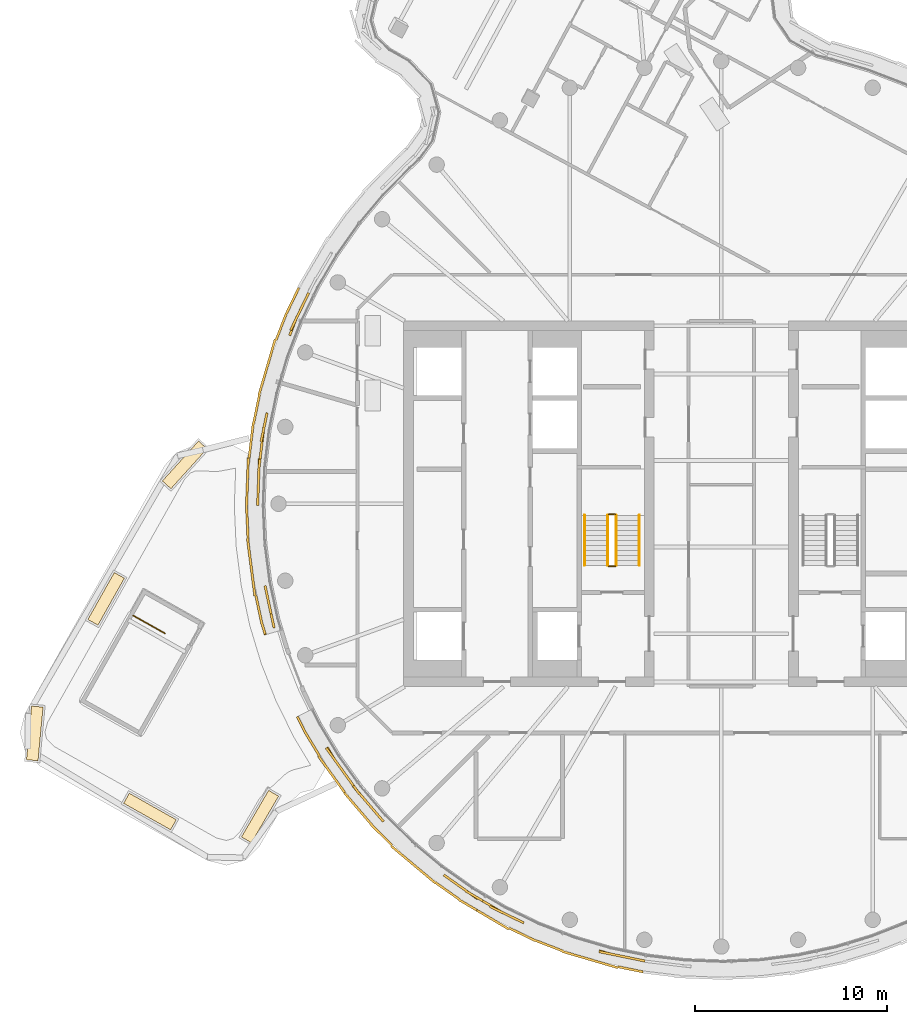
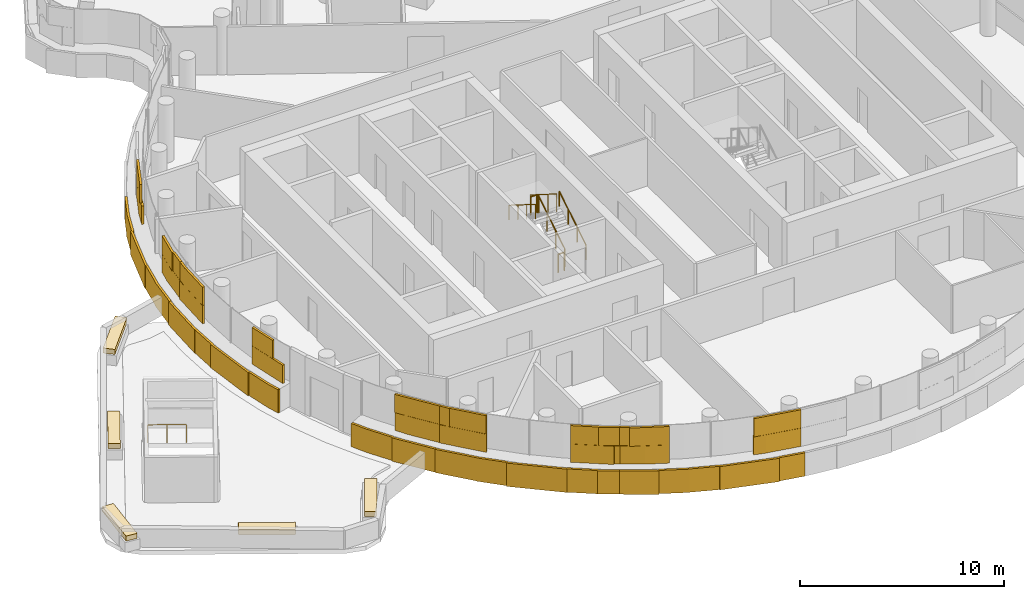
# One storey, part 18 of 22: 10 coverings, 7 railings.
"""IFC4 building model written with IfcOpenShell, lengths in metres."""

from ifc_helpers import new_model, si_unit, direction, frame, origin, origin_2d, place, context, subcontext, project, spatial, rectangle, circle, extrude, material, layer, layer_set, type_object, element, save


model = new_model("IFC4")

# Units and contexts
model_context = context("Model", 3, precision=1e-05, world=origin(), true_north=direction((0.0, 1.0)))
body_context = subcontext(model_context, "Body", "Model", "MODEL_VIEW")
ifc_project = project(units=[si_unit("LENGTHUNIT", "METRE"), si_unit("AREAUNIT", "SQUARE_METRE"), si_unit("VOLUMEUNIT", "CUBIC_METRE"), si_unit("PLANEANGLEUNIT", "RADIAN"), si_unit("MASSUNIT", "GRAM", prefix="KILO")], contexts=[model_context])

# Site, building, storey
site_placement = place(None, origin())
site = spatial("IfcSite", under=ifc_project, at=site_placement, CompositionType="ELEMENT")
building_placement = place(site_placement, origin())
building = spatial("IfcBuilding", under=site, at=building_placement, Name="Tamarind Cross Interchange Tower", CompositionType="ELEMENT")
storey_placement = place(building_placement, frame((0.0, 0.0, 256.800048828125)))
storey = spatial("IfcBuildingStorey", under=building, at=storey_placement, Name="L65", CompositionType="ELEMENT", Elevation=256.800048828125)

# Coverings
ifc_material_1 = material(Name="Planting soil and turf")
covering_type_1 = type_object("IfcCoveringType", Name="Planting bed", PredefinedType="USERDEFINED", material=ifc_material_1)
for number, where, z_axis, x_axis, name in (
    (1, (-27.87255859375, 2.023193359375, 0.60009765625), (0.0, 0.0, 1.0), (-0.670843130547, -0.741599281417, 0.0), "PLB-L65-RTW0-00"),
    (2, (-31.956298828125, -4.9375, 0.60009765625), (0.0, 0.0, 1.0), (-0.490928082303, -0.871200102162, 0.0), "PLB-L65-RTW0-01"),
    (3, (-35.661376953125, -11.928466796875, 0.60009765625), (0.0, 0.0, 1.0), (-0.094136114617, -0.995559336215, 0.0), "PLB-L65-RTW0-02"),
    (4, (-29.68017578125, -15.9853515625, 0.60009765625), (0.0, 0.0, 1.0), (0.871200102162, -0.490928082303, 0.0), "PLB-L65-RTW0-03"),
    (5, (-23.959716796875, -16.24755859375, 0.60009765625), (0.0, 0.0, 1.0), (0.503460843002, 0.86401804354, 0.0), "PLB-L65-RTW0-04"),
):
    element("IfcCovering", number, at=place(storey_placement, frame(where, z_axis=z_axis, x_axis=x_axis)), inside=storey, type_object=covering_type_1, Name=name, ObjectType="Planting bed", PredefinedType="USERDEFINED", context=body_context, shape_type="SweptSolid", body=[
        extrude(rectangle(XDim=2.800048828125, YDim=0.60009765625, at=origin_2d()), origin(), (0.0, 0.0, 1.0), 0.300048828125),
    ])

# Railings
ifc_material_2 = material(Name="Stair guard")
railing_type_1 = type_object("IfcRailingType", Name="Stair guard", PredefinedType="GUARDRAIL", material=ifc_material_2)
railing_1_placement = place(storey_placement, frame((-5.449951171875, -3.199951171875, 0.16357421875)))
element("IfcRailing", 6, at=railing_1_placement, inside=storey, type_object=railing_type_1, Name="L65 ST1 stair guard 1", PredefinedType="GUARDRAIL", context=body_context, shape_type="SweptSolid", body=[
    extrude(circle(Radius=0.02392578125, at=origin_2d()), frame((0.0, 0.0, 1.076171875), z_axis=(0.0, 0.846301844409, 0.532703658848), x_axis=(-1.0, 0.0, 0.0)), (0.0, 0.0, 1.0), 3.072021484375),
    extrude(circle(Radius=0.02099609375, at=origin_2d()), origin(), (0.0, 0.0, 1.0), 1.052001953125),
    extrude(circle(Radius=0.02099609375, at=origin_2d()), frame((0.0, 0.86669921875, 0.54541015625)), (0.0, 0.0, 1.0), 1.052001953125),
    extrude(circle(Radius=0.02099609375, at=origin_2d()), frame((0.0, 1.733154296875, 1.091064453125)), (0.0, 0.0, 1.0), 1.052001953125),
    extrude(circle(Radius=0.02099609375, at=origin_2d()), frame((0.0, 2.599853515625, 1.636474609375)), (0.0, 0.0, 1.0), 1.052001953125),
])
railing_2_placement = place(storey_placement, frame((-5.5, -0.550048828125, 1.800048828125)))
element("IfcRailing", 7, at=railing_2_placement, inside=storey, type_object=railing_type_1, Name="L65 ST1 stair guard 2", PredefinedType="GUARDRAIL", context=body_context, shape_type="SweptSolid", body=[
    extrude(circle(Radius=0.02392578125, at=origin_2d()), frame((0.0, 0.0, 1.076171875), z_axis=(-1.0, 0.0, 0.0), x_axis=(0.0, -1.0, 0.0)), (0.0, 0.0, 1.0), 0.35009765625),
    extrude(circle(Radius=0.02099609375, at=origin_2d()), origin(), (0.0, 0.0, 1.0), 1.052001953125),
    extrude(circle(Radius=0.02099609375, at=origin_2d()), frame((-0.35009765625, 0.0, 0.0)), (0.0, 0.0, 1.0), 1.052001953125),
])
railing_3_placement = place(storey_placement, frame((-5.89990234375, -0.60009765625, 1.963623046875)))
element("IfcRailing", 8, at=railing_3_placement, inside=storey, type_object=railing_type_1, Name="L65 ST1 stair guard 3", PredefinedType="GUARDRAIL", context=body_context, shape_type="SweptSolid", body=[
    extrude(circle(Radius=0.02392578125, at=origin_2d()), frame((0.0, 0.0, 1.076171875), z_axis=(0.0, -0.846337672412, 0.532646734952), x_axis=(1.0, 0.0, 0.0)), (0.0, 0.0, 1.0), 3.07177734375),
    extrude(circle(Radius=0.02099609375, at=origin_2d()), origin(), (0.0, 0.0, 1.0), 1.052001953125),
    extrude(circle(Radius=0.02099609375, at=origin_2d()), frame((0.0, -0.86669921875, 0.54541015625)), (0.0, 0.0, 1.0), 1.052001953125),
    extrude(circle(Radius=0.02099609375, at=origin_2d()), frame((0.0, -1.733154296875, 1.0908203125)), (0.0, 0.0, 1.0), 1.052001953125),
    extrude(circle(Radius=0.02099609375, at=origin_2d()), frame((0.0, -2.599853515625, 1.63623046875)), (0.0, 0.0, 1.0), 1.052001953125),
])
railing_4_placement = place(storey_placement, frame((-5.5, -3.25, 0.0)))
element("IfcRailing", 9, at=railing_4_placement, inside=storey, type_object=railing_type_1, Name="L65 ST1 stair guard 4", PredefinedType="GUARDRAIL", context=body_context, shape_type="SweptSolid", body=[
    extrude(circle(Radius=0.02392578125, at=origin_2d()), frame((0.0, 0.0, 1.076171875), z_axis=(-1.0, 0.0, 0.0), x_axis=(0.0, -1.0, 0.0)), (0.0, 0.0, 1.0), 0.35009765625),
    extrude(circle(Radius=0.02099609375, at=origin_2d()), origin(), (0.0, 0.0, 1.0), 1.052001953125),
    extrude(circle(Radius=0.02099609375, at=origin_2d()), frame((-0.35009765625, 0.0, 0.0)), (0.0, 0.0, 1.0), 1.052001953125),
])
railing_5_placement = place(storey_placement, frame((-30.548583984375, -5.80029296875, 0.0)))
element("IfcRailing", 10, at=railing_5_placement, inside=storey, type_object=railing_type_1, Name="L65 ST5 top well guard 1", PredefinedType="GUARDRAIL", context=body_context, shape_type="SweptSolid", body=[
    extrude(circle(Radius=0.02392578125, at=origin_2d()), frame((0.0, 0.0, 1.076171875), z_axis=(0.871177190882, -0.490968738401, 0.0), x_axis=(0.490968738401, 0.871177190882, 0.0)), (0.0, 0.0, 1.0), 1.900146484375),
    extrude(circle(Radius=0.02099609375, at=origin_2d()), origin(), (0.0, 0.0, 1.0), 1.052001953125),
    extrude(circle(Radius=0.02099609375, at=origin_2d()), frame((0.82763671875, -0.46630859375, 0.0)), (0.0, 0.0, 1.0), 1.052001953125),
    extrude(circle(Radius=0.02099609375, at=origin_2d()), frame((1.6552734375, -0.932861328125, 0.0)), (0.0, 0.0, 1.0), 1.052001953125),
])
ifc_material_3 = material(Name="Stair handrail")
railing_type_2 = type_object("IfcRailingType", Name="Stair handrail", PredefinedType="HANDRAIL", material=ifc_material_3)
railing_6_placement = place(storey_placement, frame((-4.25, -3.199951171875, 0.16357421875)))
element("IfcRailing", 11, at=railing_6_placement, inside=storey, type_object=railing_type_2, Name="L65 ST1 stair handrail 1", PredefinedType="HANDRAIL", context=body_context, shape_type="SweptSolid", body=[
    extrude(circle(Radius=0.02392578125, at=origin_2d()), frame((0.0, 0.0, 0.8759765625), z_axis=(0.0, 0.846301844409, 0.532703658848), x_axis=(-1.0, 0.0, 0.0)), (0.0, 0.0, 1.0), 3.072021484375),
    extrude(circle(Radius=0.02099609375, at=origin_2d()), origin(), (0.0, 0.0, 1.0), 0.851806640625),
    extrude(circle(Radius=0.02099609375, at=origin_2d()), frame((0.0, 0.86669921875, 0.54541015625)), (0.0, 0.0, 1.0), 0.851806640625),
    extrude(circle(Radius=0.02099609375, at=origin_2d()), frame((0.0, 1.733154296875, 1.091064453125)), (0.0, 0.0, 1.0), 0.851806640625),
    extrude(circle(Radius=0.02099609375, at=origin_2d()), frame((0.0, 2.599853515625, 1.636474609375)), (0.0, 0.0, 1.0), 0.851806640625),
])
railing_7_placement = place(storey_placement, frame((-7.10009765625, -0.60009765625, 1.963623046875)))
element("IfcRailing", 12, at=railing_7_placement, inside=storey, type_object=railing_type_2, Name="L65 ST1 stair handrail 2", PredefinedType="HANDRAIL", context=body_context, shape_type="SweptSolid", body=[
    extrude(circle(Radius=0.02392578125, at=origin_2d()), frame((0.0, 0.0, 0.8759765625), z_axis=(0.0, -0.846337672412, 0.532646734952), x_axis=(1.0, 0.0, 0.0)), (0.0, 0.0, 1.0), 3.07177734375),
    extrude(circle(Radius=0.02099609375, at=origin_2d()), origin(), (0.0, 0.0, 1.0), 0.851806640625),
    extrude(circle(Radius=0.02099609375, at=origin_2d()), frame((0.0, -0.86669921875, 0.54541015625)), (0.0, 0.0, 1.0), 0.851806640625),
    extrude(circle(Radius=0.02099609375, at=origin_2d()), frame((0.0, -1.733154296875, 1.0908203125)), (0.0, 0.0, 1.0), 0.851806640625),
    extrude(circle(Radius=0.02099609375, at=origin_2d()), frame((0.0, -2.599853515625, 1.63623046875)), (0.0, 0.0, 1.0), 0.851806640625),
])

# Coverings
ifc_material_4 = material(Name="Terracotta", Category="masonry")
ifc_layer = layer(ifc_material_4, 0.1201171875)
ifc_layer_set = layer_set([ifc_layer], Name="Terracotta")
covering_type_2 = type_object("IfcCoveringType", Name="Terracotta baguette screen unit", PredefinedType="MOLDING", material=ifc_layer_set)
covering_1_placement = place(storey_placement, origin())
element("IfcCovering", 13, at=covering_1_placement, inside=storey, type_object=covering_type_2, Name="SCR-L65-01-02", PredefinedType="MOLDING", context=body_context, shape_type="SweptSolid", body=[
    extrude(rectangle(XDim=1.40673828125, YDim=0.1201171875, at=origin_2d()), frame((-21.736572265625, 10.3291015625, 1.40380859375), z_axis=(0.0, 0.0, 1.0), x_axis=(-0.435326231914, -0.900272776334, 0.0)), (0.0, 0.0, 1.0), 1.092041015625),
    extrude(rectangle(XDim=1.03515625, YDim=0.1201171875, at=origin_2d()), frame((-22.235107421875, 9.2265625, 1.40380859375), z_axis=(0.0, 0.0, 1.0), x_axis=(-0.359495435512, -0.933146843667, 0.0)), (0.0, 0.0, 1.0), 1.092041015625),
    extrude(rectangle(XDim=0.784912109375, YDim=0.1201171875, at=origin_2d()), frame((-23.67529296875, 4.34521484375, 1.40380859375), z_axis=(0.0, 0.0, 1.0), x_axis=(-0.201001463943, -0.9795909409, 0.0)), (0.0, 0.0, 1.0), 1.092041015625),
    extrude(rectangle(XDim=1.52001953125, YDim=0.1201171875, at=origin_2d()), frame((-23.851318359375, 3.222412109375, 1.40380859375), z_axis=(0.0, 0.0, 1.0), x_axis=(-0.119420963295, -0.992843710523, 0.0)), (0.0, 0.0, 1.0), 1.092041015625),
    extrude(rectangle(XDim=0.15673828125, YDim=0.1201171875, at=origin_2d()), frame((-23.94970703125, 2.405029296875, 1.40380859375), z_axis=(0.0, 0.0, 1.0), x_axis=(-0.119420963295, -0.992843710523, 0.0)), (0.0, 0.0, 1.0), 1.092041015625),
    extrude(rectangle(XDim=0.65673828125, YDim=0.1201171875, at=origin_2d()), frame((-21.573486328125, 10.666748046875, 2.50390625), z_axis=(0.0, 0.0, 1.0), x_axis=(-0.435326231914, -0.900272776334, 0.0)), (0.0, 0.0, 1.0), 1.092041015625),
    extrude(rectangle(XDim=1.52001953125, YDim=0.1201171875, at=origin_2d()), frame((-22.04052734375, 9.700439453125, 2.50390625), z_axis=(0.0, 0.0, 1.0), x_axis=(-0.435326231914, -0.900272776334, 0.0)), (0.0, 0.0, 1.0), 1.092041015625),
    extrude(rectangle(XDim=1.52001953125, YDim=0.1201171875, at=origin_2d()), frame((-23.753173828125, 3.9658203125, 2.50390625), z_axis=(0.0, 0.0, 1.0), x_axis=(-0.201001463943, -0.9795909409, 0.0)), (0.0, 0.0, 1.0), 1.092041015625),
    extrude(rectangle(XDim=0.90673828125, YDim=0.1201171875, at=origin_2d()), frame((-23.90478515625, 2.77734375, 2.50390625), z_axis=(0.0, 0.0, 1.0), x_axis=(-0.119420963295, -0.992843710523, 0.0)), (0.0, 0.0, 1.0), 1.092041015625),
    extrude(rectangle(XDim=1.469970703125, YDim=0.1201171875, at=origin_2d()), frame((-22.263671875, 10.5576171875, 0.00390625), z_axis=(0.0, 0.0, 1.0), x_axis=(-0.435326231914, -0.900272776334, 0.0)), (0.0, 0.0, 1.0), 1.39208984375),
    extrude(rectangle(XDim=1.52001953125, YDim=0.1201171875, at=origin_2d()), frame((-22.857177734375, 9.20849609375, 0.00390625), z_axis=(0.0, 0.0, 1.0), x_axis=(-0.359495435512, -0.933146843667, 0.0)), (0.0, 0.0, 1.0), 1.39208984375),
    extrude(rectangle(XDim=1.52001953125, YDim=0.1201171875, at=origin_2d()), frame((-23.38818359375, 7.80615234375, 0.00390625), z_axis=(0.0, 0.0, 1.0), x_axis=(-0.281208920763, -0.95964657186, 0.0)), (0.0, 0.0, 1.0), 1.39208984375),
    extrude(rectangle(XDim=1.52001953125, YDim=0.1201171875, at=origin_2d()), frame((-23.809814453125, 6.366455078125, 0.00390625), z_axis=(0.0, 0.0, 1.0), x_axis=(-0.281208920763, -0.95964657186, 0.0)), (0.0, 0.0, 1.0), 1.39208984375),
    extrude(rectangle(XDim=1.52001953125, YDim=0.1201171875, at=origin_2d()), frame((-24.146240234375, 4.90576171875, 0.00390625), z_axis=(0.0, 0.0, 1.0), x_axis=(-0.201001463943, -0.9795909409, 0.0)), (0.0, 0.0, 1.0), 1.39208984375),
    extrude(rectangle(XDim=1.52001953125, YDim=0.1201171875, at=origin_2d()), frame((-24.404541015625, 3.429443359375, 0.00390625), z_axis=(0.0, 0.0, 1.0), x_axis=(-0.119420963295, -0.992843710523, 0.0)), (0.0, 0.0, 1.0), 1.39208984375),
    extrude(rectangle(XDim=0.30908203125, YDim=0.1201171875, at=origin_2d()), frame((-24.511474609375, 2.541259765625, 0.00390625), z_axis=(0.0, 0.0, 1.0), x_axis=(-0.119420963295, -0.992843710523, 0.0)), (0.0, 0.0, 1.0), 1.39208984375),
])
covering_2_placement = place(storey_placement, origin())
element("IfcCovering", 14, at=covering_2_placement, inside=storey, type_object=covering_type_2, Name="SCR-L65-01-03", PredefinedType="MOLDING", context=body_context, shape_type="SweptSolid", body=[
    extrude(rectangle(XDim=1.36328125, YDim=0.1201171875, at=origin_2d()), frame((-24.0205078125, 1.658935546875, 1.40380859375), z_axis=(0.0, 0.0, 1.0), x_axis=(-0.037024696392, -0.999314350871, 0.0)), (0.0, 0.0, 1.0), 1.092041015625),
    extrude(rectangle(XDim=1.078125, YDim=0.1201171875, at=origin_2d()), frame((-24.0654296875, 0.44921875, 1.40380859375), z_axis=(0.0, 0.0, 1.0), x_axis=(-0.037024696392, -0.999314350871, 0.0)), (0.0, 0.0, 1.0), 1.092041015625),
    extrude(rectangle(XDim=0.741943359375, YDim=0.1201171875, at=origin_2d()), frame((-23.621826171875, -4.61962890625, 1.40380859375), z_axis=(0.0, 0.0, 1.0), x_axis=(0.209425419705, -0.977824623121, 0.0)), (0.0, 0.0, 1.0), 1.092041015625),
    extrude(rectangle(XDim=1.52001953125, YDim=0.1201171875, at=origin_2d()), frame((-23.38818359375, -5.710693359375, 1.40380859375), z_axis=(0.0, 0.0, 1.0), x_axis=(0.209425419705, -0.977824623121, 0.0)), (0.0, 0.0, 1.0), 1.092041015625),
    extrude(rectangle(XDim=0.61328125, YDim=0.1201171875, at=origin_2d()), frame((-23.994384765625, 2.03271484375, 2.50390625), z_axis=(0.0, 0.0, 1.0), x_axis=(-0.119420963295, -0.992843710523, 0.0)), (0.0, 0.0, 1.0), 1.092041015625),
    extrude(rectangle(XDim=1.52001953125, YDim=0.1201171875, at=origin_2d()), frame((-24.045654296875, 0.982666015625, 2.50390625), z_axis=(0.0, 0.0, 1.0), x_axis=(-0.037024696392, -0.999314350871, 0.0)), (0.0, 0.0, 1.0), 1.092041015625),
    extrude(rectangle(XDim=0.328125, YDim=0.1201171875, at=origin_2d()), frame((-24.0791015625, 0.074462890625, 2.50390625), z_axis=(0.0, 0.0, 1.0), x_axis=(-0.037024696392, -0.999314350871, 0.0)), (0.0, 0.0, 1.0), 1.092041015625),
    extrude(rectangle(XDim=1.491943359375, YDim=0.1201171875, at=origin_2d()), frame((-23.543212890625, -4.986328125, 2.50390625), z_axis=(0.0, 0.0, 1.0), x_axis=(0.209425419705, -0.977824623121, 0.0)), (0.0, 0.0, 1.0), 1.092041015625),
    extrude(rectangle(XDim=1.2109375, YDim=0.1201171875, at=origin_2d()), frame((-24.590087890625, 1.785888671875, 0.00390625), z_axis=(0.0, 0.0, 1.0), x_axis=(-0.037024696392, -0.999314350871, 0.0)), (0.0, 0.0, 1.0), 1.39208984375),
    extrude(rectangle(XDim=1.52001953125, YDim=0.1201171875, at=origin_2d()), frame((-24.639892578125, 0.441162109375, 0.00390625), z_axis=(0.0, 0.0, 1.0), x_axis=(-0.037024696392, -0.999314350871, 0.0)), (0.0, 0.0, 1.0), 1.39208984375),
    extrude(rectangle(XDim=1.52001953125, YDim=0.1201171875, at=origin_2d()), frame((-24.616943359375, -1.057373046875, 0.00390625), z_axis=(0.0, 0.0, 1.0), x_axis=(0.045624486728, -0.998958660912, 0.0)), (0.0, 0.0, 1.0), 1.39208984375),
    extrude(rectangle(XDim=1.52001953125, YDim=0.1201171875, at=origin_2d()), frame((-24.514404296875, -2.552734375, 0.00390625), z_axis=(0.0, 0.0, 1.0), x_axis=(0.127962008342, -0.991779070368, 0.0)), (0.0, 0.0, 1.0), 1.39208984375),
    extrude(rectangle(XDim=1.52001953125, YDim=0.1201171875, at=origin_2d()), frame((-24.322265625, -4.04052734375, 0.00390625), z_axis=(0.0, 0.0, 1.0), x_axis=(0.127962008342, -0.991779070368, 0.0)), (0.0, 0.0, 1.0), 1.39208984375),
    extrude(rectangle(XDim=1.52001953125, YDim=0.1201171875, at=origin_2d()), frame((-24.018310546875, -5.509033203125, 0.00390625), z_axis=(0.0, 0.0, 1.0), x_axis=(0.209425419705, -0.977824623121, 0.0)), (0.0, 0.0, 1.0), 1.39208984375),
    extrude(rectangle(XDim=0.5673828125, YDim=0.1201171875, at=origin_2d()), frame((-23.775146484375, -6.50244140625, 0.00390625), z_axis=(0.0, 0.0, 1.0), x_axis=(0.289458243079, -0.957190642199, 0.0)), (0.0, 0.0, 1.0), 1.39208984375),
])
covering_3_placement = place(storey_placement, origin())
element("IfcCovering", 15, at=covering_3_placement, inside=storey, type_object=covering_type_2, Name="SCR-L65-01-04", PredefinedType="MOLDING", context=body_context, shape_type="SweptSolid", body=[
    extrude(rectangle(XDim=0.698974609375, YDim=0.1201171875, at=origin_2d()), frame((-20.296142578125, -12.9462890625, 1.40380859375), z_axis=(0.0, 0.0, 1.0), x_axis=(0.515577308909, -0.856843065292, 0.0)), (0.0, 0.0, 1.0), 1.092041015625),
    extrude(rectangle(XDim=1.52001953125, YDim=0.1201171875, at=origin_2d()), frame((-19.681640625, -13.85107421875, 1.40380859375), z_axis=(0.0, 0.0, 1.0), x_axis=(0.584573890505, -0.811340475102, 0.0)), (0.0, 0.0, 1.0), 1.092041015625),
    extrude(rectangle(XDim=0.24267578125, YDim=0.1201171875, at=origin_2d()), frame((-19.17529296875, -14.553955078125, 1.40380859375), z_axis=(0.0, 0.0, 1.0), x_axis=(0.584573890505, -0.811340475102, 0.0)), (0.0, 0.0, 1.0), 1.092041015625),
    extrude(rectangle(XDim=1.448974609375, YDim=0.1201171875, at=origin_2d()), frame((-20.102294921875, -13.267333984375, 2.50390625), z_axis=(0.0, 0.0, 1.0), x_axis=(0.584573890505, -0.811340475102, 0.0)), (0.0, 0.0, 1.0), 1.092041015625),
    extrude(rectangle(XDim=0.99267578125, YDim=0.1201171875, at=origin_2d()), frame((-19.39453125, -14.249755859375, 2.50390625), z_axis=(0.0, 0.0, 1.0), x_axis=(0.584573890505, -0.811340475102, 0.0)), (0.0, 0.0, 1.0), 1.092041015625),
    extrude(rectangle(XDim=0.03076171875, YDim=0.1201171875, at=origin_2d()), frame((-23.6884765625, -6.788818359375, 0.00390625), z_axis=(0.0, 0.0, 1.0), x_axis=(0.289458243079, -0.957190642199, 0.0)), (0.0, 0.0, 1.0), 1.39208984375),
    extrude(rectangle(XDim=0.853759765625, YDim=0.1201171875, at=origin_2d()), frame((-21.834228515625, -11.432373046875, 0.00390625), z_axis=(0.0, 0.0, 1.0), x_axis=(0.443058811505, -0.896492548518, 0.0)), (0.0, 0.0, 1.0), 1.39208984375),
    extrude(rectangle(XDim=1.52001953125, YDim=0.1201171875, at=origin_2d()), frame((-21.2646484375, -12.449951171875, 0.00390625), z_axis=(0.0, 0.0, 1.0), x_axis=(0.515577308909, -0.856843065292, 0.0)), (0.0, 0.0, 1.0), 1.39208984375),
    extrude(rectangle(XDim=1.52001953125, YDim=0.1201171875, at=origin_2d()), frame((-20.478515625, -13.726806640625, 0.00390625), z_axis=(0.0, 0.0, 1.0), x_axis=(0.584573890505, -0.811340475102, 0.0)), (0.0, 0.0, 1.0), 1.39208984375),
    extrude(rectangle(XDim=0.826416015625, YDim=0.1201171875, at=origin_2d()), frame((-19.804443359375, -14.662353515625, 0.00390625), z_axis=(0.0, 0.0, 1.0), x_axis=(0.584573890505, -0.811340475102, 0.0)), (0.0, 0.0, 1.0), 1.39208984375),
])
covering_4_placement = place(storey_placement, origin())
element("IfcCovering", 16, at=covering_4_placement, inside=storey, type_object=covering_type_2, Name="SCR-L65-01-05", PredefinedType="MOLDING", context=body_context, shape_type="SweptSolid", body=[
    extrude(rectangle(XDim=1.27734375, YDim=0.1201171875, at=origin_2d()), frame((-18.7138671875, -15.144287109375, 1.40380859375), z_axis=(0.0, 0.0, 1.0), x_axis=(0.64957723968, -0.760295606781, 0.0)), (0.0, 0.0, 1.0), 1.092041015625),
    extrude(rectangle(XDim=1.1640625, YDim=0.1201171875, at=origin_2d()), frame((-17.92724609375, -16.06494140625, 1.40380859375), z_axis=(0.0, 0.0, 1.0), x_axis=(0.64957723968, -0.760295606781, 0.0)), (0.0, 0.0, 1.0), 1.092041015625),
    extrude(rectangle(XDim=0.656005859375, YDim=0.1201171875, at=origin_2d()), frame((-14.14697265625, -19.470458984375, 1.40380859375), z_axis=(0.0, 0.0, 1.0), x_axis=(0.816341886298, -0.577568978284, 0.0)), (0.0, 0.0, 1.0), 1.092041015625),
    extrude(rectangle(XDim=1.52001953125, YDim=0.1201171875, at=origin_2d()), frame((-13.27099609375, -20.090087890625, 1.40380859375), z_axis=(0.0, 0.0, 1.0), x_axis=(0.816341886298, -0.577568978284, 0.0)), (0.0, 0.0, 1.0), 1.092041015625),
    extrude(rectangle(XDim=0.285400390625, YDim=0.1201171875, at=origin_2d()), frame((-12.516845703125, -20.556884765625, 1.40380859375), z_axis=(0.0, 0.0, 1.0), x_axis=(0.861248933065, -0.508183308752, 0.0)), (0.0, 0.0, 1.0), 1.092041015625),
    extrude(rectangle(XDim=0.52734375, YDim=0.1201171875, at=origin_2d()), frame((-18.9560546875, -14.858154296875, 2.50390625), z_axis=(0.0, 0.0, 1.0), x_axis=(0.584573890505, -0.811340475102, 0.0)), (0.0, 0.0, 1.0), 1.092041015625),
    extrude(rectangle(XDim=1.52001953125, YDim=0.1201171875, at=origin_2d()), frame((-18.30224609375, -15.626220703125, 2.50390625), z_axis=(0.0, 0.0, 1.0), x_axis=(0.64957723968, -0.760295606781, 0.0)), (0.0, 0.0, 1.0), 1.092041015625),
    extrude(rectangle(XDim=0.4140625, YDim=0.1201171875, at=origin_2d()), frame((-17.683837890625, -16.349853515625, 2.50390625), z_axis=(0.0, 0.0, 1.0), x_axis=(0.64957723968, -0.760295606781, 0.0)), (0.0, 0.0, 1.0), 1.092041015625),
    extrude(rectangle(XDim=1.406005859375, YDim=0.1201171875, at=origin_2d()), frame((-13.8408203125, -19.68701171875, 2.50390625), z_axis=(0.0, 0.0, 1.0), x_axis=(0.816341886298, -0.577568978284, 0.0)), (0.0, 0.0, 1.0), 1.092041015625),
    extrude(rectangle(XDim=1.035400390625, YDim=0.1201171875, at=origin_2d()), frame((-12.839599609375, -20.366455078125, 2.50390625), z_axis=(0.0, 0.0, 1.0), x_axis=(0.861248933065, -0.508183308752, 0.0)), (0.0, 0.0, 1.0), 1.092041015625),
    extrude(rectangle(XDim=0.693603515625, YDim=0.1201171875, at=origin_2d()), frame((-19.356201171875, -15.27587890625, 0.00390625), z_axis=(0.0, 0.0, 1.0), x_axis=(0.64957723968, -0.760295606781, 0.0)), (0.0, 0.0, 1.0), 1.39208984375),
    extrude(rectangle(XDim=1.52001953125, YDim=0.1201171875, at=origin_2d()), frame((-18.650390625, -16.102294921875, 0.00390625), z_axis=(0.0, 0.0, 1.0), x_axis=(0.64957723968, -0.760295606781, 0.0)), (0.0, 0.0, 1.0), 1.39208984375),
    extrude(rectangle(XDim=1.52001953125, YDim=0.1201171875, at=origin_2d()), frame((-17.63916015625, -17.20849609375, 0.00390625), z_axis=(0.0, 0.0, 1.0), x_axis=(0.710143317658, -0.704057148523, 0.0)), (0.0, 0.0, 1.0), 1.39208984375),
    extrude(rectangle(XDim=1.52001953125, YDim=0.1201171875, at=origin_2d()), frame((-16.570068359375, -18.26025390625, 0.00390625), z_axis=(0.0, 0.0, 1.0), x_axis=(0.765858396687, -0.643009266048, 0.0)), (0.0, 0.0, 1.0), 1.39208984375),
    extrude(rectangle(XDim=1.52001953125, YDim=0.1201171875, at=origin_2d()), frame((-15.421142578125, -19.224853515625, 0.00390625), z_axis=(0.0, 0.0, 1.0), x_axis=(0.765858396687, -0.643009266048, 0.0)), (0.0, 0.0, 1.0), 1.39208984375),
    extrude(rectangle(XDim=1.52001953125, YDim=0.1201171875, at=origin_2d()), frame((-14.22021484375, -20.121826171875, 0.00390625), z_axis=(0.0, 0.0, 1.0), x_axis=(0.816341886298, -0.577568978284, 0.0)), (0.0, 0.0, 1.0), 1.39208984375),
    extrude(rectangle(XDim=1.084716796875, YDim=0.1201171875, at=origin_2d()), frame((-13.1611328125, -20.84326171875, 0.00390625), z_axis=(0.0, 0.0, 1.0), x_axis=(0.861248933065, -0.508183308752, 0.0)), (0.0, 0.0, 1.0), 1.39208984375),
])
covering_5_placement = place(storey_placement, origin())
element("IfcCovering", 17, at=covering_5_placement, inside=storey, type_object=covering_type_2, Name="SCR-L65-01-06", PredefinedType="MOLDING", context=body_context, shape_type="SweptSolid", body=[
    extrude(rectangle(XDim=1.234619140625, YDim=0.1201171875, at=origin_2d()), frame((-11.870849609375, -20.93798828125, 1.40380859375), z_axis=(0.0, 0.0, 1.0), x_axis=(0.861248933065, -0.508183308752, 0.0)), (0.0, 0.0, 1.0), 1.092041015625),
    extrude(rectangle(XDim=1.20703125, YDim=0.1201171875, at=origin_2d()), frame((-10.803466796875, -21.50732421875, 1.40380859375), z_axis=(0.0, 0.0, 1.0), x_axis=(0.900272776334, -0.435326231914, 0.0)), (0.0, 0.0, 1.0), 1.092041015625),
    extrude(rectangle(XDim=0.613037109375, YDim=0.1201171875, at=origin_2d()), frame((-6.04248046875, -23.306640625, 1.40380859375), z_axis=(0.0, 0.0, 1.0), x_axis=(0.95964657186, -0.281208920763, 0.0)), (0.0, 0.0, 1.0), 1.092041015625),
    extrude(rectangle(XDim=1.52001953125, YDim=0.1201171875, at=origin_2d()), frame((-5.017333984375, -23.537353515625, 1.40380859375), z_axis=(0.0, 0.0, 1.0), x_axis=(0.9795909409, -0.201001463943, 0.0)), (0.0, 0.0, 1.0), 1.092041015625),
    extrude(rectangle(XDim=0.328369140625, YDim=0.1201171875, at=origin_2d()), frame((-4.126708984375, -23.72021484375, 1.40380859375), z_axis=(0.0, 0.0, 1.0), x_axis=(0.9795909409, -0.201001463943, 0.0)), (0.0, 0.0, 1.0), 1.092041015625),
    extrude(rectangle(XDim=0.484619140625, YDim=0.1201171875, at=origin_2d()), frame((-12.19384765625, -20.74755859375, 2.50390625), z_axis=(0.0, 0.0, 1.0), x_axis=(0.861248933065, -0.508183308752, 0.0)), (0.0, 0.0, 1.0), 1.092041015625),
    extrude(rectangle(XDim=1.52001953125, YDim=0.1201171875, at=origin_2d()), frame((-11.342041015625, -21.246826171875, 2.50390625), z_axis=(0.0, 0.0, 1.0), x_axis=(0.900272776334, -0.435326231914, 0.0)), (0.0, 0.0, 1.0), 1.092041015625),
    extrude(rectangle(XDim=0.45703125, YDim=0.1201171875, at=origin_2d()), frame((-10.4658203125, -21.670654296875, 2.50390625), z_axis=(0.0, 0.0, 1.0), x_axis=(0.900272776334, -0.435326231914, 0.0)), (0.0, 0.0, 1.0), 1.092041015625),
    extrude(rectangle(XDim=1.363037109375, YDim=0.1201171875, at=origin_2d()), frame((-5.679931640625, -23.4013671875, 2.50390625), z_axis=(0.0, 0.0, 1.0), x_axis=(0.9795909409, -0.201001463943, 0.0)), (0.0, 0.0, 1.0), 1.092041015625),
    extrude(rectangle(XDim=1.078369140625, YDim=0.1201171875, at=origin_2d()), frame((-4.493896484375, -23.644775390625, 2.50390625), z_axis=(0.0, 0.0, 1.0), x_axis=(0.9795909409, -0.201001463943, 0.0)), (0.0, 0.0, 1.0), 1.092041015625),
    extrude(rectangle(XDim=0.43505859375, YDim=0.1201171875, at=origin_2d()), frame((-12.506591796875, -21.2294921875, 0.00390625), z_axis=(0.0, 0.0, 1.0), x_axis=(0.861248933065, -0.508183308752, 0.0)), (0.0, 0.0, 1.0), 1.39208984375),
    extrude(rectangle(XDim=1.52001953125, YDim=0.1201171875, at=origin_2d()), frame((-11.681884765625, -21.716064453125, 0.00390625), z_axis=(0.0, 0.0, 1.0), x_axis=(0.861248933065, -0.508183308752, 0.0)), (0.0, 0.0, 1.0), 1.39208984375),
    extrude(rectangle(XDim=1.52001953125, YDim=0.1201171875, at=origin_2d()), frame((-10.3330078125, -22.372314453125, 0.00390625), z_axis=(0.0, 0.0, 1.0), x_axis=(0.900272776334, -0.435326231914, 0.0)), (0.0, 0.0, 1.0), 1.39208984375),
    extrude(rectangle(XDim=1.52001953125, YDim=0.1201171875, at=origin_2d()), frame((-8.952392578125, -22.955810546875, 0.00390625), z_axis=(0.0, 0.0, 1.0), x_axis=(0.933146843667, -0.359495435512, 0.0)), (0.0, 0.0, 1.0), 1.39208984375),
    extrude(rectangle(XDim=1.52001953125, YDim=0.1201171875, at=origin_2d()), frame((-7.542724609375, -23.46533203125, 0.00390625), z_axis=(0.0, 0.0, 1.0), x_axis=(0.95964657186, -0.281208920763, 0.0)), (0.0, 0.0, 1.0), 1.39208984375),
    extrude(rectangle(XDim=1.52001953125, YDim=0.1201171875, at=origin_2d()), frame((-6.103271484375, -23.88720703125, 0.00390625), z_axis=(0.0, 0.0, 1.0), x_axis=(0.95964657186, -0.281208920763, 0.0)), (0.0, 0.0, 1.0), 1.39208984375),
    extrude(rectangle(XDim=1.34375, YDim=0.1201171875, at=origin_2d()), frame((-4.723388671875, -24.18359375, 0.00390625), z_axis=(0.0, 0.0, 1.0), x_axis=(0.9795909409, -0.201001463943, 0.0)), (0.0, 0.0, 1.0), 1.39208984375),
])

save(model, "model.ifc")
